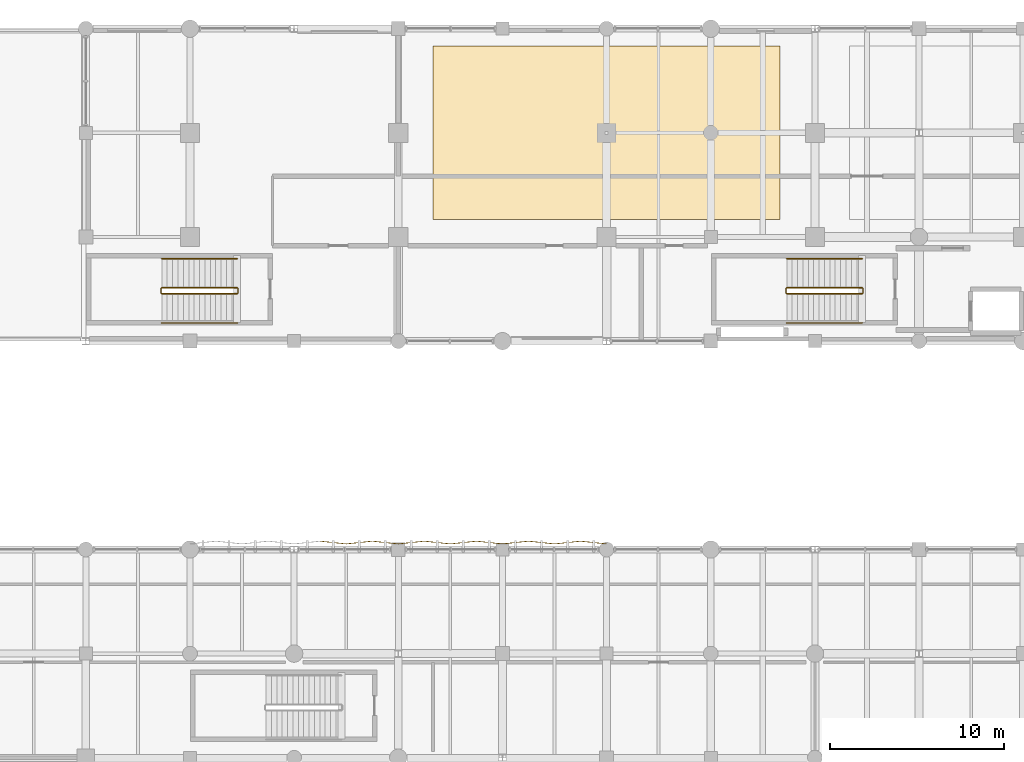
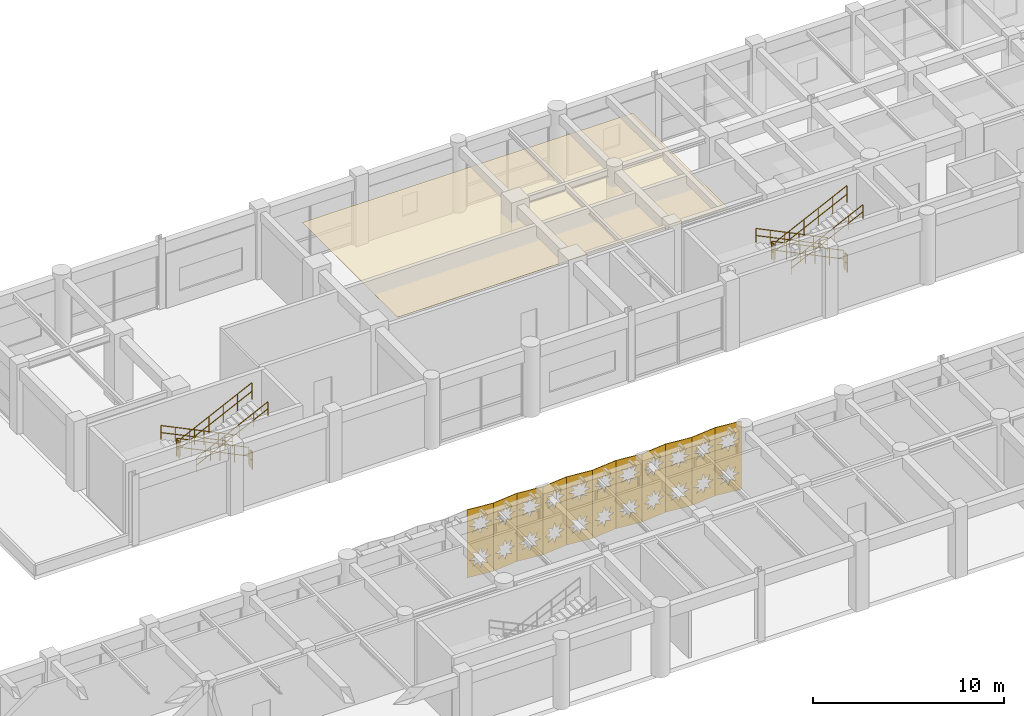
# One storey, part 129 of 133: 12 railings, 11 shading devices, 1 covering.
"""IFC4 building model written with IfcOpenShell, lengths in metres."""

from ifc_helpers import new_model, si_unit, direction, frame, origin, origin_2d, place, context, subcontext, project, spatial, polyline, circle, outline, extrude, material, layer, layer_set, type_object, element, save


model = new_model("IFC4")

# Units and contexts
model_context = context("Model", 3, precision=1e-05, world=origin(), true_north=direction((0.0, 1.0)))
body_context = subcontext(model_context, "Body", "Model", "MODEL_VIEW")
ifc_project = project(units=[si_unit("LENGTHUNIT", "METRE"), si_unit("AREAUNIT", "SQUARE_METRE"), si_unit("VOLUMEUNIT", "CUBIC_METRE"), si_unit("PLANEANGLEUNIT", "RADIAN"), si_unit("MASSUNIT", "GRAM", prefix="KILO"), si_unit("THERMODYNAMICTEMPERATUREUNIT", "KELVIN"), si_unit("POWERUNIT", "WATT")], contexts=[model_context])

# Site, building, storey
site_placement = place(None, origin())
site = spatial("IfcSite", under=ifc_project, at=site_placement, CompositionType="ELEMENT")
building_placement = place(site_placement, origin())
building = spatial("IfcBuilding", under=site, at=building_placement, Name="Phaisarnlok Congress Hotel", CompositionType="ELEMENT")
storey_placement = place(building_placement, frame((0.0, 0.0, 6.0)))
storey = spatial("IfcBuildingStorey", under=building, at=storey_placement, Name="L01", CompositionType="ELEMENT", Elevation=6.0)

# Covering
ifc_material_1 = material(Name="Perforated Timber & Mineral-Fibre Acoustic Ceiling", Category="wood")
ifc_layer_1 = layer(ifc_material_1, 0.01806640625, Name="Perforated Timber & Mineral-Fibre Acoustic Ceiling")
ifc_layer_set_1 = layer_set([ifc_layer_1], Name="Perforated Timber & Mineral-Fibre Acoustic Ceiling")
covering_type = type_object("IfcCoveringType", Name="CLG-AC-18", PredefinedType="CEILING", material=ifc_layer_set_1)
covering_placement = place(storey_placement, frame((0.0, 0.0, 3.199951171875)))
element("IfcCovering", 1, at=covering_placement, inside=storey, type_object=covering_type, Name="Suspended ceiling CLG-01 (L01)", PredefinedType="CEILING", context=body_context, shape_type="SweptSolid", body=[
    extrude(outline(polyline([(106.0, 125.0), (106.0, 115.0), (86.0, 115.0), (86.0, 125.0), (106.0, 125.0)])), origin(), (0.0, 0.0, 1.0), 0.01806640625),
])

# Railings
ifc_material_2 = material(Name="Painted Galvanised Steel S275", Category="steel")
railing_type_1 = type_object("IfcRailingType", Name="RLG-STR-GUARD", PredefinedType="BALUSTRADE", material=ifc_material_2)
railing_1_placement = place(storey_placement, frame((110.719970703125, 111.070068359375, 0.14990234375)))
element("IfcRailing", 2, at=railing_1_placement, inside=storey, type_object=railing_type_1, Name="L01 ST-07 stair guard 1", PredefinedType="BALUSTRADE", context=body_context, shape_type="SweptSolid", body=[
    extrude(circle(Radius=0.02392578125, at=origin_2d()), frame((0.0, 0.0, 1.076171875), z_axis=(-0.900154768424, 0.0, 0.435570192832), x_axis=(0.0, -1.0, 0.0)), (0.0, 0.0, 1.0), 4.821533203125),
    extrude(circle(Radius=0.02392578125, at=origin_2d()), frame((0.0, 0.0, 0.52587890625), z_axis=(-0.900154768424, 0.0, 0.435570192832), x_axis=(0.0, -1.0, 0.0)), (0.0, 0.0, 1.0), 4.821533203125),
    extrude(circle(Radius=0.02099609375, at=origin_2d()), origin(), (0.0, 0.0, 1.0), 1.052001953125),
    extrude(circle(Radius=0.02099609375, at=origin_2d()), frame((-0.867919921875, 0.0, 0.419921875)), (0.0, 0.0, 1.0), 1.052001953125),
    extrude(circle(Radius=0.02099609375, at=origin_2d()), frame((-1.736083984375, 0.0, 0.840087890625)), (0.0, 0.0, 1.0), 1.052001953125),
    extrude(circle(Radius=0.02099609375, at=origin_2d()), frame((-2.60400390625, 0.0, 1.260009765625)), (0.0, 0.0, 1.0), 1.052001953125),
    extrude(circle(Radius=0.02099609375, at=origin_2d()), frame((-3.47216796875, 0.0, 1.68017578125)), (0.0, 0.0, 1.0), 1.052001953125),
    extrude(circle(Radius=0.02099609375, at=origin_2d()), frame((-4.340087890625, 0.0, 2.10009765625)), (0.0, 0.0, 1.0), 1.052001953125),
])
railing_2_placement = place(storey_placement, frame((106.330078125, 111.02001953125, 2.25)))
element("IfcRailing", 3, at=railing_2_placement, inside=storey, type_object=railing_type_1, Name="L01 ST-07 stair guard 2", PredefinedType="BALUSTRADE", context=body_context, shape_type="SweptSolid", body=[
    extrude(circle(Radius=0.02392578125, at=origin_2d()), frame((0.0, 0.0, 1.076171875), z_axis=(0.0, -1.0, 0.0), x_axis=(1.0, 0.0, 0.0)), (0.0, 0.0, 1.0), 0.239990234375),
    extrude(circle(Radius=0.02392578125, at=origin_2d()), frame((0.0, 0.0, 0.52587890625), z_axis=(0.0, -1.0, 0.0), x_axis=(1.0, 0.0, 0.0)), (0.0, 0.0, 1.0), 0.239990234375),
    extrude(circle(Radius=0.02099609375, at=origin_2d()), origin(), (0.0, 0.0, 1.0), 1.052001953125),
    extrude(circle(Radius=0.02099609375, at=origin_2d()), frame((0.0, -0.239990234375, 0.0)), (0.0, 0.0, 1.0), 1.052001953125),
])
railing_3_placement = place(storey_placement, frame((106.3798828125, 110.72998046875, 2.39990234375)))
element("IfcRailing", 4, at=railing_3_placement, inside=storey, type_object=railing_type_1, Name="L01 ST-07 stair guard 3", PredefinedType="BALUSTRADE", context=body_context, shape_type="SweptSolid", body=[
    extrude(circle(Radius=0.02392578125, at=origin_2d()), frame((0.0, 0.0, 1.076171875), z_axis=(0.900154768424, 0.0, 0.435570192832), x_axis=(0.0, 1.0, 0.0)), (0.0, 0.0, 1.0), 4.821533203125),
    extrude(circle(Radius=0.02392578125, at=origin_2d()), frame((0.0, 0.0, 0.52587890625), z_axis=(0.900154768424, 0.0, 0.435570192832), x_axis=(0.0, 1.0, 0.0)), (0.0, 0.0, 1.0), 4.821533203125),
    extrude(circle(Radius=0.02099609375, at=origin_2d()), origin(), (0.0, 0.0, 1.0), 1.052001953125),
    extrude(circle(Radius=0.02099609375, at=origin_2d()), frame((0.867919921875, 0.0, 0.419921875)), (0.0, 0.0, 1.0), 1.052001953125),
    extrude(circle(Radius=0.02099609375, at=origin_2d()), frame((1.736083984375, 0.0, 0.840087890625)), (0.0, 0.0, 1.0), 1.052001953125),
    extrude(circle(Radius=0.02099609375, at=origin_2d()), frame((2.60400390625, 0.0, 1.260009765625)), (0.0, 0.0, 1.0), 1.052001953125),
    extrude(circle(Radius=0.02099609375, at=origin_2d()), frame((3.47216796875, 0.0, 1.68017578125)), (0.0, 0.0, 1.0), 1.052001953125),
    extrude(circle(Radius=0.02099609375, at=origin_2d()), frame((4.340087890625, 0.0, 2.10009765625)), (0.0, 0.0, 1.0), 1.052001953125),
])
railing_4_placement = place(storey_placement, frame((110.77001953125, 111.02001953125, 0.0)))
element("IfcRailing", 5, at=railing_4_placement, inside=storey, type_object=railing_type_1, Name="L01 ST-07 stair guard 4", PredefinedType="BALUSTRADE", context=body_context, shape_type="SweptSolid", body=[
    extrude(circle(Radius=0.02392578125, at=origin_2d()), frame((0.0, 0.0, 1.076171875), z_axis=(0.0, -1.0, 0.0), x_axis=(1.0, 0.0, 0.0)), (0.0, 0.0, 1.0), 0.239990234375),
    extrude(circle(Radius=0.02392578125, at=origin_2d()), frame((0.0, 0.0, 0.52587890625), z_axis=(0.0, -1.0, 0.0), x_axis=(1.0, 0.0, 0.0)), (0.0, 0.0, 1.0), 0.239990234375),
    extrude(circle(Radius=0.02099609375, at=origin_2d()), origin(), (0.0, 0.0, 1.0), 1.052001953125),
    extrude(circle(Radius=0.02099609375, at=origin_2d()), frame((0.0, -0.239990234375, 0.0)), (0.0, 0.0, 1.0), 1.052001953125),
])
railing_5_placement = place(storey_placement, frame((74.719970703125, 111.070068359375, 0.14990234375)))
element("IfcRailing", 6, at=railing_5_placement, inside=storey, type_object=railing_type_1, Name="L01 ST-10 stair guard 1", PredefinedType="BALUSTRADE", context=body_context, shape_type="SweptSolid", body=[
    extrude(circle(Radius=0.02392578125, at=origin_2d()), frame((0.0, 0.0, 1.076171875), z_axis=(-0.900154768424, 0.0, 0.435570192832), x_axis=(0.0, -1.0, 0.0)), (0.0, 0.0, 1.0), 4.821533203125),
    extrude(circle(Radius=0.02392578125, at=origin_2d()), frame((0.0, 0.0, 0.52587890625), z_axis=(-0.900154768424, 0.0, 0.435570192832), x_axis=(0.0, -1.0, 0.0)), (0.0, 0.0, 1.0), 4.821533203125),
    extrude(circle(Radius=0.02099609375, at=origin_2d()), origin(), (0.0, 0.0, 1.0), 1.052001953125),
    extrude(circle(Radius=0.02099609375, at=origin_2d()), frame((-0.867919921875, 0.0, 0.419921875)), (0.0, 0.0, 1.0), 1.052001953125),
    extrude(circle(Radius=0.02099609375, at=origin_2d()), frame((-1.736083984375, 0.0, 0.840087890625)), (0.0, 0.0, 1.0), 1.052001953125),
    extrude(circle(Radius=0.02099609375, at=origin_2d()), frame((-2.60400390625, 0.0, 1.260009765625)), (0.0, 0.0, 1.0), 1.052001953125),
    extrude(circle(Radius=0.02099609375, at=origin_2d()), frame((-3.47216796875, 0.0, 1.68017578125)), (0.0, 0.0, 1.0), 1.052001953125),
    extrude(circle(Radius=0.02099609375, at=origin_2d()), frame((-4.340087890625, 0.0, 2.10009765625)), (0.0, 0.0, 1.0), 1.052001953125),
])
railing_6_placement = place(storey_placement, frame((70.330078125, 111.02001953125, 2.25)))
element("IfcRailing", 7, at=railing_6_placement, inside=storey, type_object=railing_type_1, Name="L01 ST-10 stair guard 2", PredefinedType="BALUSTRADE", context=body_context, shape_type="SweptSolid", body=[
    extrude(circle(Radius=0.02392578125, at=origin_2d()), frame((0.0, 0.0, 1.076171875), z_axis=(0.0, -1.0, 0.0), x_axis=(1.0, 0.0, 0.0)), (0.0, 0.0, 1.0), 0.239990234375),
    extrude(circle(Radius=0.02392578125, at=origin_2d()), frame((0.0, 0.0, 0.52587890625), z_axis=(0.0, -1.0, 0.0), x_axis=(1.0, 0.0, 0.0)), (0.0, 0.0, 1.0), 0.239990234375),
    extrude(circle(Radius=0.02099609375, at=origin_2d()), origin(), (0.0, 0.0, 1.0), 1.052001953125),
    extrude(circle(Radius=0.02099609375, at=origin_2d()), frame((0.0, -0.239990234375, 0.0)), (0.0, 0.0, 1.0), 1.052001953125),
])
railing_7_placement = place(storey_placement, frame((70.3798828125, 110.72998046875, 2.39990234375)))
element("IfcRailing", 8, at=railing_7_placement, inside=storey, type_object=railing_type_1, Name="L01 ST-10 stair guard 3", PredefinedType="BALUSTRADE", context=body_context, shape_type="SweptSolid", body=[
    extrude(circle(Radius=0.02392578125, at=origin_2d()), frame((0.0, 0.0, 1.076171875), z_axis=(0.900154768424, 0.0, 0.435570192832), x_axis=(0.0, 1.0, 0.0)), (0.0, 0.0, 1.0), 4.821533203125),
    extrude(circle(Radius=0.02392578125, at=origin_2d()), frame((0.0, 0.0, 0.52587890625), z_axis=(0.900154768424, 0.0, 0.435570192832), x_axis=(0.0, 1.0, 0.0)), (0.0, 0.0, 1.0), 4.821533203125),
    extrude(circle(Radius=0.02099609375, at=origin_2d()), origin(), (0.0, 0.0, 1.0), 1.052001953125),
    extrude(circle(Radius=0.02099609375, at=origin_2d()), frame((0.867919921875, 0.0, 0.419921875)), (0.0, 0.0, 1.0), 1.052001953125),
    extrude(circle(Radius=0.02099609375, at=origin_2d()), frame((1.736083984375, 0.0, 0.840087890625)), (0.0, 0.0, 1.0), 1.052001953125),
    extrude(circle(Radius=0.02099609375, at=origin_2d()), frame((2.60400390625, 0.0, 1.260009765625)), (0.0, 0.0, 1.0), 1.052001953125),
    extrude(circle(Radius=0.02099609375, at=origin_2d()), frame((3.47216796875, 0.0, 1.68017578125)), (0.0, 0.0, 1.0), 1.052001953125),
    extrude(circle(Radius=0.02099609375, at=origin_2d()), frame((4.340087890625, 0.0, 2.10009765625)), (0.0, 0.0, 1.0), 1.052001953125),
])
railing_8_placement = place(storey_placement, frame((74.77001953125, 111.02001953125, 0.0)))
element("IfcRailing", 9, at=railing_8_placement, inside=storey, type_object=railing_type_1, Name="L01 ST-10 stair guard 4", PredefinedType="BALUSTRADE", context=body_context, shape_type="SweptSolid", body=[
    extrude(circle(Radius=0.02392578125, at=origin_2d()), frame((0.0, 0.0, 1.076171875), z_axis=(0.0, -1.0, 0.0), x_axis=(1.0, 0.0, 0.0)), (0.0, 0.0, 1.0), 0.239990234375),
    extrude(circle(Radius=0.02392578125, at=origin_2d()), frame((0.0, 0.0, 0.52587890625), z_axis=(0.0, -1.0, 0.0), x_axis=(1.0, 0.0, 0.0)), (0.0, 0.0, 1.0), 0.239990234375),
    extrude(circle(Radius=0.02099609375, at=origin_2d()), origin(), (0.0, 0.0, 1.0), 1.052001953125),
    extrude(circle(Radius=0.02099609375, at=origin_2d()), frame((0.0, -0.239990234375, 0.0)), (0.0, 0.0, 1.0), 1.052001953125),
])
ifc_material_3 = material(Name="Brushed Stainless Steel Grade 304", Category="steel")
railing_type_2 = type_object("IfcRailingType", Name="RLG-STR-HRAIL", PredefinedType="HANDRAIL", material=ifc_material_3)
railing_9_placement = place(storey_placement, frame((110.719970703125, 112.75, 0.14990234375)))
element("IfcRailing", 10, at=railing_9_placement, inside=storey, type_object=railing_type_2, Name="L01 ST-07 stair handrail 1", PredefinedType="HANDRAIL", context=body_context, shape_type="SweptSolid", body=[
    extrude(circle(Radius=0.02392578125, at=origin_2d()), frame((0.0, 0.0, 0.8759765625), z_axis=(-0.900154768424, 0.0, 0.435570192832), x_axis=(0.0, -1.0, 0.0)), (0.0, 0.0, 1.0), 4.821533203125),
    extrude(circle(Radius=0.02392578125, at=origin_2d()), frame((0.0, 0.0, 0.42578125), z_axis=(-0.900154768424, 0.0, 0.435570192832), x_axis=(0.0, -1.0, 0.0)), (0.0, 0.0, 1.0), 4.821533203125),
    extrude(circle(Radius=0.02099609375, at=origin_2d()), origin(), (0.0, 0.0, 1.0), 0.851806640625),
    extrude(circle(Radius=0.02099609375, at=origin_2d()), frame((-0.867919921875, 0.0, 0.419921875)), (0.0, 0.0, 1.0), 0.851806640625),
    extrude(circle(Radius=0.02099609375, at=origin_2d()), frame((-1.736083984375, 0.0, 0.840087890625)), (0.0, 0.0, 1.0), 0.851806640625),
    extrude(circle(Radius=0.02099609375, at=origin_2d()), frame((-2.60400390625, 0.0, 1.260009765625)), (0.0, 0.0, 1.0), 0.851806640625),
    extrude(circle(Radius=0.02099609375, at=origin_2d()), frame((-3.47216796875, 0.0, 1.68017578125)), (0.0, 0.0, 1.0), 0.851806640625),
    extrude(circle(Radius=0.02099609375, at=origin_2d()), frame((-4.340087890625, 0.0, 2.10009765625)), (0.0, 0.0, 1.0), 0.851806640625),
])
railing_10_placement = place(storey_placement, frame((106.3798828125, 109.050048828125, 2.39990234375)))
element("IfcRailing", 11, at=railing_10_placement, inside=storey, type_object=railing_type_2, Name="L01 ST-07 stair handrail 2", PredefinedType="HANDRAIL", context=body_context, shape_type="SweptSolid", body=[
    extrude(circle(Radius=0.02392578125, at=origin_2d()), frame((0.0, 0.0, 0.8759765625), z_axis=(0.900154768424, 0.0, 0.435570192832), x_axis=(0.0, 1.0, 0.0)), (0.0, 0.0, 1.0), 4.821533203125),
    extrude(circle(Radius=0.02392578125, at=origin_2d()), frame((0.0, 0.0, 0.42578125), z_axis=(0.900154768424, 0.0, 0.435570192832), x_axis=(0.0, 1.0, 0.0)), (0.0, 0.0, 1.0), 4.821533203125),
    extrude(circle(Radius=0.02099609375, at=origin_2d()), origin(), (0.0, 0.0, 1.0), 0.851806640625),
    extrude(circle(Radius=0.02099609375, at=origin_2d()), frame((0.867919921875, 0.0, 0.419921875)), (0.0, 0.0, 1.0), 0.851806640625),
    extrude(circle(Radius=0.02099609375, at=origin_2d()), frame((1.736083984375, 0.0, 0.840087890625)), (0.0, 0.0, 1.0), 0.851806640625),
    extrude(circle(Radius=0.02099609375, at=origin_2d()), frame((2.60400390625, 0.0, 1.260009765625)), (0.0, 0.0, 1.0), 0.851806640625),
    extrude(circle(Radius=0.02099609375, at=origin_2d()), frame((3.47216796875, 0.0, 1.68017578125)), (0.0, 0.0, 1.0), 0.851806640625),
    extrude(circle(Radius=0.02099609375, at=origin_2d()), frame((4.340087890625, 0.0, 2.10009765625)), (0.0, 0.0, 1.0), 0.851806640625),
])
railing_11_placement = place(storey_placement, frame((74.719970703125, 112.75, 0.14990234375)))
element("IfcRailing", 12, at=railing_11_placement, inside=storey, type_object=railing_type_2, Name="L01 ST-10 stair handrail 1", PredefinedType="HANDRAIL", context=body_context, shape_type="SweptSolid", body=[
    extrude(circle(Radius=0.02392578125, at=origin_2d()), frame((0.0, 0.0, 0.8759765625), z_axis=(-0.900154768424, 0.0, 0.435570192832), x_axis=(0.0, -1.0, 0.0)), (0.0, 0.0, 1.0), 4.821533203125),
    extrude(circle(Radius=0.02392578125, at=origin_2d()), frame((0.0, 0.0, 0.42578125), z_axis=(-0.900154768424, 0.0, 0.435570192832), x_axis=(0.0, -1.0, 0.0)), (0.0, 0.0, 1.0), 4.821533203125),
    extrude(circle(Radius=0.02099609375, at=origin_2d()), origin(), (0.0, 0.0, 1.0), 0.851806640625),
    extrude(circle(Radius=0.02099609375, at=origin_2d()), frame((-0.867919921875, 0.0, 0.419921875)), (0.0, 0.0, 1.0), 0.851806640625),
    extrude(circle(Radius=0.02099609375, at=origin_2d()), frame((-1.736083984375, 0.0, 0.840087890625)), (0.0, 0.0, 1.0), 0.851806640625),
    extrude(circle(Radius=0.02099609375, at=origin_2d()), frame((-2.60400390625, 0.0, 1.260009765625)), (0.0, 0.0, 1.0), 0.851806640625),
    extrude(circle(Radius=0.02099609375, at=origin_2d()), frame((-3.47216796875, 0.0, 1.68017578125)), (0.0, 0.0, 1.0), 0.851806640625),
    extrude(circle(Radius=0.02099609375, at=origin_2d()), frame((-4.340087890625, 0.0, 2.10009765625)), (0.0, 0.0, 1.0), 0.851806640625),
])
railing_12_placement = place(storey_placement, frame((70.3798828125, 109.050048828125, 2.39990234375)))
element("IfcRailing", 13, at=railing_12_placement, inside=storey, type_object=railing_type_2, Name="L01 ST-10 stair handrail 2", PredefinedType="HANDRAIL", context=body_context, shape_type="SweptSolid", body=[
    extrude(circle(Radius=0.02392578125, at=origin_2d()), frame((0.0, 0.0, 0.8759765625), z_axis=(0.900154768424, 0.0, 0.435570192832), x_axis=(0.0, 1.0, 0.0)), (0.0, 0.0, 1.0), 4.821533203125),
    extrude(circle(Radius=0.02392578125, at=origin_2d()), frame((0.0, 0.0, 0.42578125), z_axis=(0.900154768424, 0.0, 0.435570192832), x_axis=(0.0, 1.0, 0.0)), (0.0, 0.0, 1.0), 4.821533203125),
    extrude(circle(Radius=0.02099609375, at=origin_2d()), origin(), (0.0, 0.0, 1.0), 0.851806640625),
    extrude(circle(Radius=0.02099609375, at=origin_2d()), frame((0.867919921875, 0.0, 0.419921875)), (0.0, 0.0, 1.0), 0.851806640625),
    extrude(circle(Radius=0.02099609375, at=origin_2d()), frame((1.736083984375, 0.0, 0.840087890625)), (0.0, 0.0, 1.0), 0.851806640625),
    extrude(circle(Radius=0.02099609375, at=origin_2d()), frame((2.60400390625, 0.0, 1.260009765625)), (0.0, 0.0, 1.0), 0.851806640625),
    extrude(circle(Radius=0.02099609375, at=origin_2d()), frame((3.47216796875, 0.0, 1.68017578125)), (0.0, 0.0, 1.0), 0.851806640625),
    extrude(circle(Radius=0.02099609375, at=origin_2d()), frame((4.340087890625, 0.0, 2.10009765625)), (0.0, 0.0, 1.0), 0.851806640625),
])

# Shading devices
ifc_material_4 = material(Name="PVDF White Perforated Aluminium Alloy 5052", Category="aluminium")
ifc_layer_2 = layer(ifc_material_4, 0.0400390625, Name="PVDF White Perforated Aluminium Alloy 5052")
ifc_layer_set_2 = layer_set([ifc_layer_2], Name="PVDF White Perforated Aluminium Alloy 5052")
shading_device_type = type_object("IfcShadingDeviceType", Name="SHD-STAR-FOLD", PredefinedType="JALOUSIE", material=ifc_layer_set_2)
for number, where, z_axis, x_axis, name in (
    (14, (81.0, 96.300048828125, 0.06005859375), (0.104566819602, 0.994517863207, 0.0), (-0.994517863207, 0.104566819602, 0.0), "Folded star-perforated hall screen SS-01 (V4N L01)"),
    (15, (82.5, 96.457763671875, 0.06005859375), (-0.104566819602, 0.994517863207, 0.0), (-0.994517863207, -0.104566819602, 0.0), "Folded star-perforated hall screen SS-01 (V4N L01)"),
    (16, (84.0, 96.300048828125, 0.06005859375), (0.104566819602, 0.994517863207, 0.0), (-0.994517863207, 0.104566819602, 0.0), "Folded star-perforated hall screen SS-01 (V4N L01)"),
    (17, (85.5, 96.457763671875, 0.06005859375), (-0.104566819602, 0.994517863207, 0.0), (-0.994517863207, -0.104566819602, 0.0), "Folded star-perforated hall screen SS-01 (V4N L01)"),
    (18, (87.0, 96.300048828125, 0.06005859375), (0.104566819602, 0.994517863207, 0.0), (-0.994517863207, 0.104566819602, 0.0), "Folded star-perforated hall screen SS-01 (V4N L01)"),
    (19, (88.5, 96.457763671875, 0.06005859375), (-0.104566819602, 0.994517863207, 0.0), (-0.994517863207, -0.104566819602, 0.0), "Folded star-perforated hall screen SS-01 (V4N L01)"),
    (20, (90.0, 96.300048828125, 0.06005859375), (0.104566819602, 0.994517863207, 0.0), (-0.994517863207, 0.104566819602, 0.0), "Folded star-perforated hall screen SS-01 (V4N L01)"),
    (21, (91.5, 96.457763671875, 0.06005859375), (-0.104566819602, 0.994517863207, 0.0), (-0.994517863207, -0.104566819602, 0.0), "Folded star-perforated hall screen SS-01 (V4N L01)"),
    (22, (93.0, 96.300048828125, 0.06005859375), (0.104566819602, 0.994517863207, 0.0), (-0.994517863207, 0.104566819602, 0.0), "Folded star-perforated hall screen SS-01 (V4N L01)"),
    (23, (94.5, 96.457763671875, 0.06005859375), (-0.104566819602, 0.994517863207, 0.0), (-0.994517863207, -0.104566819602, 0.0), "Folded star-perforated hall screen SS-01 (V4N L01)"),
    (24, (96.0, 96.300048828125, 0.06005859375), (0.104566819602, 0.994517863207, 0.0), (-0.994517863207, 0.104566819602, 0.0), "Folded star-perforated hall screen SS-01 (V4N L01)"),
):
    element("IfcShadingDevice", number, at=place(storey_placement, frame(where, z_axis=z_axis, x_axis=x_axis)), inside=storey, type_object=shading_device_type, Name=name, PredefinedType="JALOUSIE", context=body_context, shape_type="SweptSolid", body=[
        extrude(outline(polyline([(0.0, 0.0), (1.5082685344258453, 0.0), (1.5082685344258453, 4.35986328125), (0.0, 4.35986328125), (0.0, 0.0)]), holes=[polyline([(1.0351, 0.9736), (1.2021, 0.6421), (0.8705, 0.8091), (0.7541, 0.4565), (0.6378, 0.8091), (0.3062, 0.6421), (0.4732, 0.9736), (0.1207, 1.09), (0.4732, 1.2064), (0.3062, 1.5379), (0.6378, 1.3709), (0.7541, 1.7235), (0.8705, 1.3709), (1.2021, 1.5379), (1.0351, 1.2064), (1.3876, 1.09), (1.0351, 0.9736)]), polyline([(1.0351, 3.1536), (1.2021, 2.8221), (0.8705, 2.9891), (0.7541, 2.6365), (0.6378, 2.9891), (0.3062, 2.8221), (0.4732, 3.1536), (0.1207, 3.27), (0.4732, 3.3864), (0.3062, 3.7179), (0.6378, 3.5509), (0.7541, 3.9035), (0.8705, 3.5509), (1.2021, 3.7179), (1.0351, 3.3864), (1.3876, 3.27), (1.0351, 3.1536)])]), origin(), (0.0, 0.0, 1.0), 0.0400390625),
    ])

save(model, "model.ifc")
